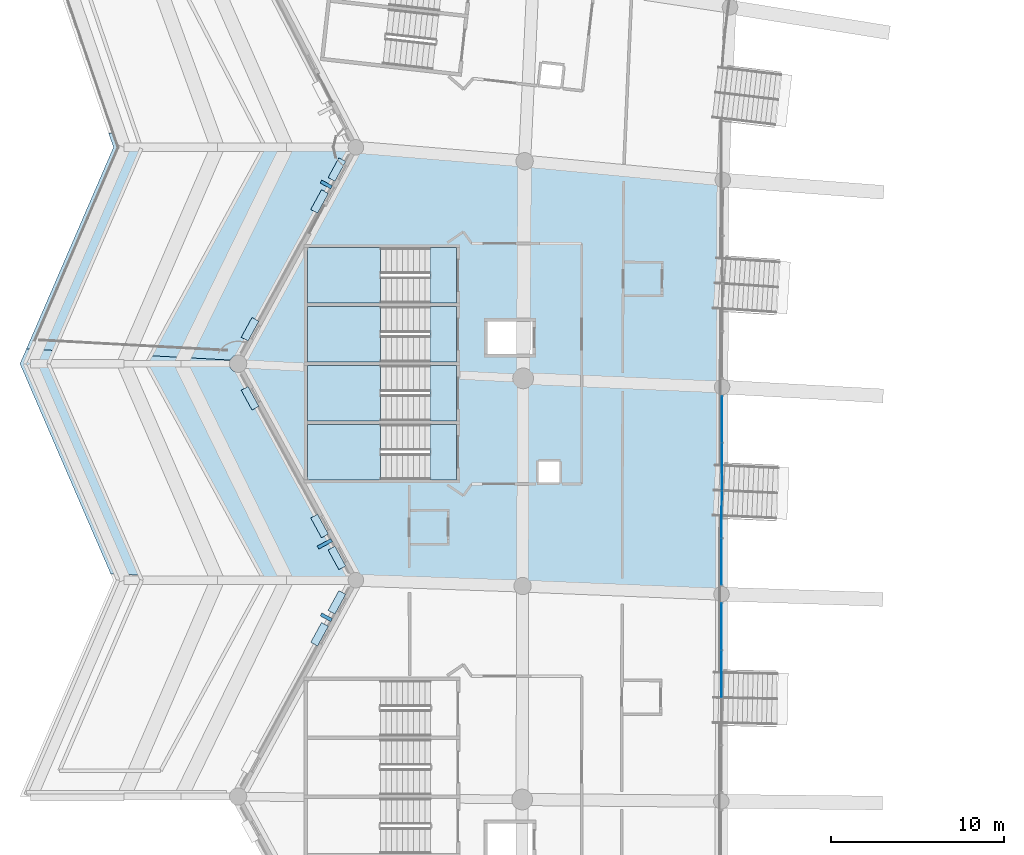
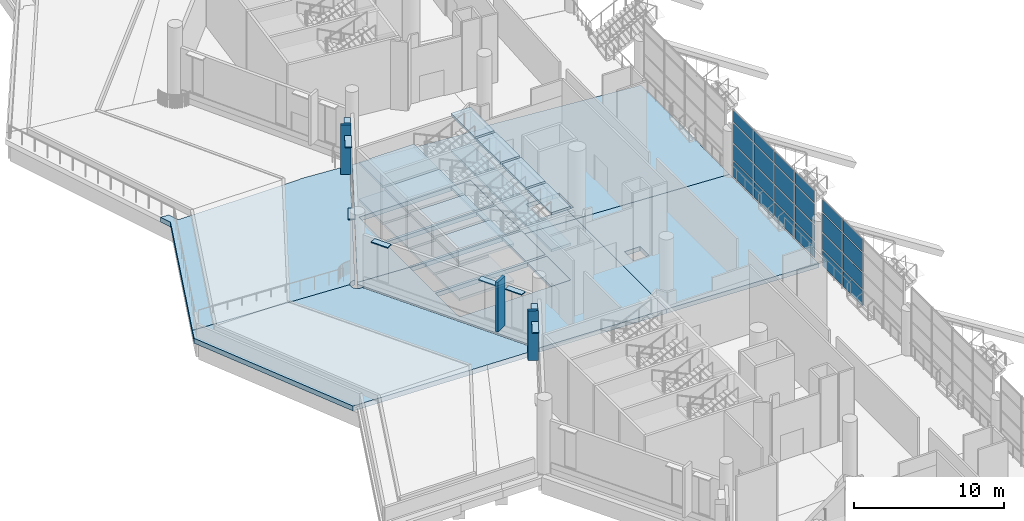
# One storey, part 32 of 173: 35 plates, 26 slabs, 6 elements without a shape of their own.
"""IFC4 building model written with IfcOpenShell, lengths in metres."""

from ifc_helpers import new_model, si_unit, direction, frame, origin, origin_2d, place, context, subcontext, project, spatial, polyline, rectangle, outline, extrude, material, layer, layer_set, type_object, element, aggregate, save


model = new_model("IFC4")

# Units and contexts
model_context = context("Model", 3, precision=1e-05, world=origin(), true_north=direction((0.0, 1.0)))
body_context = subcontext(model_context, "Body", "Model", "MODEL_VIEW")
ifc_project = project(units=[si_unit("LENGTHUNIT", "METRE"), si_unit("AREAUNIT", "SQUARE_METRE"), si_unit("VOLUMEUNIT", "CUBIC_METRE"), si_unit("PLANEANGLEUNIT", "RADIAN"), si_unit("MASSUNIT", "GRAM", prefix="KILO")], contexts=[model_context])

# Site, building, storey
site_placement = place(None, origin())
site = spatial("IfcSite", under=ifc_project, at=site_placement, CompositionType="ELEMENT")
building_placement = place(site_placement, origin())
building = spatial("IfcBuilding", under=site, at=building_placement, Name="Meseta Stadium", CompositionType="ELEMENT")
storey_placement = place(building_placement, frame((0.0, 0.0, 18.0)))
storey = spatial("IfcBuildingStorey", under=building, at=storey_placement, Name="L03", CompositionType="ELEMENT", Elevation=18.0)

# Curtain wall, plates
ifc_material_1 = material(Name="Aluminium", Category="aluminium")
ifc_layer_1 = layer(ifc_material_1, 0.25)
ifc_layer_set_1 = layer_set([ifc_layer_1], Name="Media Centre glazing curtain wall")
curtain_wall_type = type_object("IfcCurtainWallType", Name="Media Centre glazing curtain wall", PredefinedType="NOTDEFINED", material=ifc_layer_set_1)
curtain_wall_1_placement = place(storey_placement, origin())
curtain_wall_1 = element("IfcCurtainWall", 1, at=curtain_wall_1_placement, inside=storey, type_object=curtain_wall_type, Name="Media Centre glazing bay 30", PredefinedType="NOTDEFINED")
ifc_material_2 = material(Name="Glass", Category="glass")
ifc_layer_2 = layer(ifc_material_2, 0.028076171875)
ifc_layer_set_2 = layer_set([ifc_layer_2], Name="CW glass panel 28")
plate_type_1 = type_object("IfcPlateType", Name="CW glass panel 28", PredefinedType="CURTAIN_PANEL", material=ifc_layer_set_2)
plate_1_placement = place(storey_placement, frame((-73.4560546875, 28.0341796875, 0.1201171875), z_axis=(0.0, 0.0, 1.0), x_axis=(-0.002605544184, -0.999996605564, 0.0)))
plate_1 = element("IfcPlate", 2, at=plate_1_placement, type_object=plate_type_1, Name="CWM panel 1.1", PredefinedType="CURTAIN_PANEL", context=body_context, shape_type="SweptSolid", body=[
    extrude(rectangle(XDim=2.660400390625, YDim=0.028076171875, at=origin_2d()), origin(), (0.0, 0.0, 1.0), 1.232421875),
])
plate_2_placement = place(storey_placement, frame((-73.4560546875, 28.0341796875, 1.472412109375), z_axis=(0.0, 0.0, 1.0), x_axis=(-0.002605544184, -0.999996605564, 0.0)))
plate_2 = element("IfcPlate", 3, at=plate_2_placement, type_object=plate_type_1, Name="CWM panel 1.2", PredefinedType="CURTAIN_PANEL", context=body_context, shape_type="SweptSolid", body=[
    extrude(rectangle(XDim=2.660400390625, YDim=0.028076171875, at=origin_2d()), origin(), (0.0, 0.0, 1.0), 1.29248046875),
])
plate_3_placement = place(storey_placement, frame((-73.4560546875, 28.0341796875, 2.884765625), z_axis=(0.0, 0.0, 1.0), x_axis=(-0.002605544184, -0.999996605564, 0.0)))
plate_3 = element("IfcPlate", 4, at=plate_3_placement, type_object=plate_type_1, Name="CWM panel 1.3", PredefinedType="CURTAIN_PANEL", context=body_context, shape_type="SweptSolid", body=[
    extrude(rectangle(XDim=2.660400390625, YDim=0.028076171875, at=origin_2d()), origin(), (0.0, 0.0, 1.0), 1.593505859375),
])
plate_4_placement = place(storey_placement, frame((-73.4560546875, 28.0341796875, 4.5986328125), z_axis=(0.0, 0.0, 1.0), x_axis=(-0.002605544184, -0.999996605564, 0.0)))
plate_4 = element("IfcPlate", 5, at=plate_4_placement, type_object=plate_type_1, Name="CWM panel 1.4", PredefinedType="CURTAIN_PANEL", context=body_context, shape_type="SweptSolid", body=[
    extrude(rectangle(XDim=2.660400390625, YDim=0.028076171875, at=origin_2d()), origin(), (0.0, 0.0, 1.0), 0.931396484375),
])
plate_5_placement = place(storey_placement, frame((-73.46337890625, 25.298828125, 0.1201171875), z_axis=(0.0, 0.0, 1.0), x_axis=(-0.002605544184, -0.999996605564, 0.0)))
plate_5 = element("IfcPlate", 6, at=plate_5_placement, type_object=plate_type_1, Name="CWM panel 2.1", PredefinedType="CURTAIN_PANEL", context=body_context, shape_type="SweptSolid", body=[
    extrude(rectangle(XDim=2.6904296875, YDim=0.028076171875, at=origin_2d()), origin(), (0.0, 0.0, 1.0), 1.232421875),
])
plate_6_placement = place(storey_placement, frame((-73.46337890625, 25.298828125, 1.472412109375), z_axis=(0.0, 0.0, 1.0), x_axis=(-0.002605544184, -0.999996605564, 0.0)))
plate_6 = element("IfcPlate", 7, at=plate_6_placement, type_object=plate_type_1, Name="CWM panel 2.2", PredefinedType="CURTAIN_PANEL", context=body_context, shape_type="SweptSolid", body=[
    extrude(rectangle(XDim=2.6904296875, YDim=0.028076171875, at=origin_2d()), origin(), (0.0, 0.0, 1.0), 1.29248046875),
])
plate_7_placement = place(storey_placement, frame((-73.46337890625, 25.298828125, 2.884765625), z_axis=(0.0, 0.0, 1.0), x_axis=(-0.002605544184, -0.999996605564, 0.0)))
plate_7 = element("IfcPlate", 8, at=plate_7_placement, type_object=plate_type_1, Name="CWM panel 2.3", PredefinedType="CURTAIN_PANEL", context=body_context, shape_type="SweptSolid", body=[
    extrude(rectangle(XDim=2.6904296875, YDim=0.028076171875, at=origin_2d()), origin(), (0.0, 0.0, 1.0), 1.593505859375),
])
plate_8_placement = place(storey_placement, frame((-73.46337890625, 25.298828125, 4.5986328125), z_axis=(0.0, 0.0, 1.0), x_axis=(-0.002605544184, -0.999996605564, 0.0)))
plate_8 = element("IfcPlate", 9, at=plate_8_placement, type_object=plate_type_1, Name="CWM panel 2.4", PredefinedType="CURTAIN_PANEL", context=body_context, shape_type="SweptSolid", body=[
    extrude(rectangle(XDim=2.6904296875, YDim=0.028076171875, at=origin_2d()), origin(), (0.0, 0.0, 1.0), 0.931396484375),
])
plate_9_placement = place(storey_placement, frame((-73.470458984375, 22.54833984375, 0.1201171875), z_axis=(0.0, 0.0, 1.0), x_axis=(-0.002605544184, -0.999996605564, 0.0)))
plate_9 = element("IfcPlate", 10, at=plate_9_placement, type_object=plate_type_1, Name="CWM panel 3.1", PredefinedType="CURTAIN_PANEL", context=body_context, shape_type="SweptSolid", body=[
    extrude(rectangle(XDim=2.6904296875, YDim=0.028076171875, at=origin_2d()), origin(), (0.0, 0.0, 1.0), 1.232421875),
])
plate_10_placement = place(storey_placement, frame((-73.470458984375, 22.54833984375, 1.472412109375), z_axis=(0.0, 0.0, 1.0), x_axis=(-0.002605544184, -0.999996605564, 0.0)))
plate_10 = element("IfcPlate", 11, at=plate_10_placement, type_object=plate_type_1, Name="CWM panel 3.2", PredefinedType="CURTAIN_PANEL", context=body_context, shape_type="SweptSolid", body=[
    extrude(rectangle(XDim=2.6904296875, YDim=0.028076171875, at=origin_2d()), origin(), (0.0, 0.0, 1.0), 1.29248046875),
])
plate_11_placement = place(storey_placement, frame((-73.470458984375, 22.54833984375, 2.884765625), z_axis=(0.0, 0.0, 1.0), x_axis=(-0.002605544184, -0.999996605564, 0.0)))
plate_11 = element("IfcPlate", 12, at=plate_11_placement, type_object=plate_type_1, Name="CWM panel 3.3", PredefinedType="CURTAIN_PANEL", context=body_context, shape_type="SweptSolid", body=[
    extrude(rectangle(XDim=2.6904296875, YDim=0.028076171875, at=origin_2d()), origin(), (0.0, 0.0, 1.0), 1.593505859375),
])
plate_12_placement = place(storey_placement, frame((-73.470458984375, 22.54833984375, 4.5986328125), z_axis=(0.0, 0.0, 1.0), x_axis=(-0.002605544184, -0.999996605564, 0.0)))
plate_12 = element("IfcPlate", 13, at=plate_12_placement, type_object=plate_type_1, Name="CWM panel 3.4", PredefinedType="CURTAIN_PANEL", context=body_context, shape_type="SweptSolid", body=[
    extrude(rectangle(XDim=2.6904296875, YDim=0.028076171875, at=origin_2d()), origin(), (0.0, 0.0, 1.0), 0.931396484375),
])
plate_13_placement = place(storey_placement, frame((-73.4775390625, 19.81298828125, 0.1201171875), z_axis=(0.0, 0.0, 1.0), x_axis=(-0.002605544184, -0.999996605564, 0.0)))
plate_13 = element("IfcPlate", 14, at=plate_13_placement, type_object=plate_type_1, Name="CWM panel 4.1", PredefinedType="CURTAIN_PANEL", context=body_context, shape_type="SweptSolid", body=[
    extrude(rectangle(XDim=2.660400390625, YDim=0.028076171875, at=origin_2d()), origin(), (0.0, 0.0, 1.0), 1.232421875),
])
plate_14_placement = place(storey_placement, frame((-73.4775390625, 19.81298828125, 1.472412109375), z_axis=(0.0, 0.0, 1.0), x_axis=(-0.002605544184, -0.999996605564, 0.0)))
plate_14 = element("IfcPlate", 15, at=plate_14_placement, type_object=plate_type_1, Name="CWM panel 4.2", PredefinedType="CURTAIN_PANEL", context=body_context, shape_type="SweptSolid", body=[
    extrude(rectangle(XDim=2.660400390625, YDim=0.028076171875, at=origin_2d()), origin(), (0.0, 0.0, 1.0), 1.29248046875),
])
plate_15_placement = place(storey_placement, frame((-73.4775390625, 19.81298828125, 2.884765625), z_axis=(0.0, 0.0, 1.0), x_axis=(-0.002605544184, -0.999996605564, 0.0)))
plate_15 = element("IfcPlate", 16, at=plate_15_placement, type_object=plate_type_1, Name="CWM panel 4.3", PredefinedType="CURTAIN_PANEL", context=body_context, shape_type="SweptSolid", body=[
    extrude(rectangle(XDim=2.660400390625, YDim=0.028076171875, at=origin_2d()), origin(), (0.0, 0.0, 1.0), 1.593505859375),
])
plate_16_placement = place(storey_placement, frame((-73.4775390625, 19.81298828125, 4.5986328125), z_axis=(0.0, 0.0, 1.0), x_axis=(-0.002605544184, -0.999996605564, 0.0)))
plate_16 = element("IfcPlate", 17, at=plate_16_placement, type_object=plate_type_1, Name="CWM panel 4.4", PredefinedType="CURTAIN_PANEL", context=body_context, shape_type="SweptSolid", body=[
    extrude(rectangle(XDim=2.660400390625, YDim=0.028076171875, at=origin_2d()), origin(), (0.0, 0.0, 1.0), 0.931396484375),
])
aggregate(curtain_wall_1, [plate_1, plate_2, plate_3, plate_4, plate_5, plate_6, plate_7, plate_8, plate_9, plate_10, plate_11, plate_12, plate_13, plate_14, plate_15, plate_16])

curtain_wall_2_placement = place(storey_placement, origin())
curtain_wall_2 = element("IfcCurtainWall", 18, at=curtain_wall_2_placement, inside=storey, type_object=curtain_wall_type, Name="Media Centre glazing bay 31", PredefinedType="NOTDEFINED")
plate_17_placement = place(storey_placement, frame((-73.48486328125, 16.07373046875, 0.1201171875), z_axis=(0.0, 0.0, 1.0), x_axis=(-0.001305425729, -0.999999147931, 0.0)))
plate_17 = element("IfcPlate", 19, at=plate_17_placement, type_object=plate_type_1, Name="CWM panel 1.1", PredefinedType="CURTAIN_PANEL", context=body_context, shape_type="SweptSolid", body=[
    extrude(rectangle(XDim=2.6611328125, YDim=0.028076171875, at=origin_2d()), origin(), (0.0, 0.0, 1.0), 1.232421875),
])
plate_18_placement = place(storey_placement, frame((-73.48486328125, 16.07373046875, 1.472412109375), z_axis=(0.0, 0.0, 1.0), x_axis=(-0.001305425729, -0.999999147931, 0.0)))
plate_18 = element("IfcPlate", 20, at=plate_18_placement, type_object=plate_type_1, Name="CWM panel 1.2", PredefinedType="CURTAIN_PANEL", context=body_context, shape_type="SweptSolid", body=[
    extrude(rectangle(XDim=2.6611328125, YDim=0.028076171875, at=origin_2d()), origin(), (0.0, 0.0, 1.0), 1.29248046875),
])
plate_19_placement = place(storey_placement, frame((-73.48486328125, 16.07373046875, 2.884765625), z_axis=(0.0, 0.0, 1.0), x_axis=(-0.001305425729, -0.999999147931, 0.0)))
plate_19 = element("IfcPlate", 21, at=plate_19_placement, type_object=plate_type_1, Name="CWM panel 1.3", PredefinedType="CURTAIN_PANEL", context=body_context, shape_type="SweptSolid", body=[
    extrude(rectangle(XDim=2.6611328125, YDim=0.028076171875, at=origin_2d()), origin(), (0.0, 0.0, 1.0), 1.522705078125),
])
plate_20_placement = place(storey_placement, frame((-73.48486328125, 16.07373046875, 4.52783203125), z_axis=(0.0, 0.0, 1.0), x_axis=(-0.001305425729, -0.999999147931, 0.0)))
plate_20 = element("IfcPlate", 22, at=plate_20_placement, type_object=plate_type_1, Name="CWM panel 1.4", PredefinedType="CURTAIN_PANEL", context=body_context, shape_type="SweptSolid", body=[
    extrude(rectangle(XDim=2.6611328125, YDim=0.028076171875, at=origin_2d()), origin(), (0.0, 0.0, 1.0), 1.002197265625),
])
plate_21_placement = place(storey_placement, frame((-73.488525390625, 13.337890625, 0.1201171875), z_axis=(0.0, 0.0, 1.0), x_axis=(-0.001305425729, -0.999999147931, 0.0)))
plate_21 = element("IfcPlate", 23, at=plate_21_placement, type_object=plate_type_1, Name="CWM panel 2.1", PredefinedType="CURTAIN_PANEL", context=body_context, shape_type="SweptSolid", body=[
    extrude(rectangle(XDim=2.69091796875, YDim=0.028076171875, at=origin_2d()), origin(), (0.0, 0.0, 1.0), 1.232421875),
])
plate_22_placement = place(storey_placement, frame((-73.488525390625, 13.337890625, 1.472412109375), z_axis=(0.0, 0.0, 1.0), x_axis=(-0.001305425729, -0.999999147931, 0.0)))
plate_22 = element("IfcPlate", 24, at=plate_22_placement, type_object=plate_type_1, Name="CWM panel 2.2", PredefinedType="CURTAIN_PANEL", context=body_context, shape_type="SweptSolid", body=[
    extrude(rectangle(XDim=2.69091796875, YDim=0.028076171875, at=origin_2d()), origin(), (0.0, 0.0, 1.0), 1.29248046875),
])
plate_23_placement = place(storey_placement, frame((-73.488525390625, 13.337890625, 2.884765625), z_axis=(0.0, 0.0, 1.0), x_axis=(-0.001305425729, -0.999999147931, 0.0)))
plate_23 = element("IfcPlate", 25, at=plate_23_placement, type_object=plate_type_1, Name="CWM panel 2.3", PredefinedType="CURTAIN_PANEL", context=body_context, shape_type="SweptSolid", body=[
    extrude(rectangle(XDim=2.69091796875, YDim=0.028076171875, at=origin_2d()), origin(), (0.0, 0.0, 1.0), 1.522705078125),
])
plate_24_placement = place(storey_placement, frame((-73.488525390625, 13.337890625, 4.52783203125), z_axis=(0.0, 0.0, 1.0), x_axis=(-0.001305425729, -0.999999147931, 0.0)))
plate_24 = element("IfcPlate", 26, at=plate_24_placement, type_object=plate_type_1, Name="CWM panel 2.4", PredefinedType="CURTAIN_PANEL", context=body_context, shape_type="SweptSolid", body=[
    extrude(rectangle(XDim=2.69091796875, YDim=0.028076171875, at=origin_2d()), origin(), (0.0, 0.0, 1.0), 1.002197265625),
])
aggregate(curtain_wall_2, [plate_17, plate_18, plate_19, plate_20, plate_21, plate_22, plate_23, plate_24])

# Slabs
ifc_material_3 = material(Name="Concrete C40/50", Category="concrete")
ifc_layer_3 = layer(ifc_material_3, 0.35009765625)
ifc_layer_set_3 = layer_set([ifc_layer_3], Name="Floor slab 350")
slab_type_1 = type_object("IfcSlabType", Name="Floor slab 350", PredefinedType="FLOOR", material=ifc_layer_set_3)
slab_1_placement = place(storey_placement, frame((0.0, 0.0, -0.35009765625)))
element("IfcSlab", 27, at=slab_1_placement, inside=storey, type_object=slab_type_1, Name="Floor slab L03 sector 28 panel 04", PredefinedType="FLOOR", context=body_context, shape_type="SweptSolid", body=[
    extrude(outline(polyline([(-84.85546875, 42.7412109375), (-94.736328125, 43.49951171875), (-101.301513671875, 31.430908203125), (-96.176025390625, 31.14990234375), (-88.800048828125, 31.14990234375), (-88.800048828125, 30.74560546875), (-84.939697265625, 30.533935546875), (-84.93115234375, 31.800048828125), (-87.0, 31.800048828125), (-87.0, 33.699951171875), (-84.91796875, 33.699951171875), (-84.85546875, 42.7412109375)]), holes=[polyline([(-97.39990234375, 34.550048828125), (-88.800048828125, 34.550048828125), (-88.800048828125, 31.35009765625), (-97.39990234375, 31.35009765625), (-97.39990234375, 34.550048828125)]), polyline([(-97.39990234375, 37.949951171875), (-88.800048828125, 37.949951171875), (-88.800048828125, 34.75), (-97.39990234375, 34.75), (-97.39990234375, 37.949951171875)])]), origin(), (0.0, 0.0, 1.0), 0.35009765625),
])
slab_2_placement = place(storey_placement, frame((0.0, 0.0, -0.35009765625)))
element("IfcSlab", 28, at=slab_2_placement, inside=storey, type_object=slab_type_1, Name="Floor slab L03 sector 28 panel 06", PredefinedType="FLOOR", context=body_context, shape_type="SweptSolid", body=[
    extrude(outline(polyline([(-96.176025390625, 31.14990234375), (-101.301513671875, 31.430908203125), (-101.39990234375, 31.25), (-94.60009765625, 18.75), (-84.97314453125, 18.41064453125), (-84.939697265625, 30.533935546875), (-88.800048828125, 30.74560546875), (-88.800048828125, 27.949951171875), (-97.39990234375, 27.949951171875), (-97.39990234375, 31.14990234375), (-96.176025390625, 31.14990234375)]), holes=[polyline([(-97.39990234375, 27.75), (-88.800048828125, 27.75), (-88.800048828125, 24.550048828125), (-97.39990234375, 24.550048828125), (-97.39990234375, 27.75)])]), origin(), (0.0, 0.0, 1.0), 0.35009765625),
])
slab_3_placement = place(storey_placement, frame((0.0, 0.0, -0.35009765625)))
element("IfcSlab", 29, at=slab_3_placement, inside=storey, type_object=slab_type_1, Name="Floor slab L03 sector 28 panel 10", PredefinedType="FLOOR", context=body_context, shape_type="SweptSolid", body=[
    extrude(outline(polyline([(-73.451416015625, 29.904052734375), (-84.939697265625, 30.533935546875), (-84.97314453125, 18.41064453125), (-73.482421875, 17.943603515625), (-73.473876953125, 21.9306640625), (-73.451416015625, 29.904052734375)]), holes=[polyline([(-82.85009765625, 25.60009765625), (-82.85009765625, 24.39990234375), (-84.050048828125, 24.39990234375), (-84.050048828125, 25.60009765625), (-82.85009765625, 25.60009765625)])]), origin(), (0.0, 0.0, 1.0), 0.35009765625),
])
slab_4_placement = place(storey_placement, frame((0.0, 0.0, -0.35009765625)))
element("IfcSlab", 30, at=slab_4_placement, inside=storey, type_object=slab_type_1, Name="Floor slab L03 sector 28 panel 12", PredefinedType="FLOOR", context=body_context, shape_type="SweptSolid", body=[
    extrude(outline(polyline([(-73.40478515625, 41.8623046875), (-84.85400390625, 42.948486328125), (-84.91796875, 33.699951171875), (-84.39990234375, 33.699951171875), (-84.39990234375, 31.800048828125), (-84.93115234375, 31.800048828125), (-84.939697265625, 30.533935546875), (-73.451416015625, 29.904052734375), (-73.429931640625, 35.883544921875), (-73.40478515625, 41.8623046875)])), origin(), (0.0, 0.0, 1.0), 0.35009765625),
])

# Plates
ifc_material_4 = material(Name="White precast concrete C40/50", Category="concrete")
ifc_layer_4 = layer(ifc_material_4, 0.080078125)
ifc_layer_set_4 = layer_set([ifc_layer_4], Name="Louvre hood 1300x450")
plate_type_2 = type_object("IfcPlateType", Name="Louvre hood 1300x450", PredefinedType="USERDEFINED", material=ifc_layer_set_4)
for number, where, z_axis, x_axis, name in (
    (31, (-95.696044921875, 42.4677734375, 4.25), (0.0, 0.0, 1.0), (-0.477867090202, -0.878432151109, 0.0), "Louvre hood L03 F29"),
    (32, (-96.699462890625, 40.623046875, 4.25), (0.0, 0.0, 1.0), (-0.477867090202, -0.878432151109, 0.0), "Louvre hood L03 F29"),
    (33, (-100.713623046875, 33.244384765625, 4.25), (0.0, 0.0, 1.0), (-0.477867090202, -0.878432151109, 0.0), "Louvre hood L03 F29"),
    (34, (-95.696044921875, 20.0322265625, 4.25), (0.0, 0.0, 1.0), (0.477867090202, -0.878432151109, 0.0), "Louvre hood L03 F30"),
    (35, (-96.699462890625, 21.876953125, 4.25), (0.0, 0.0, 1.0), (0.477867090202, -0.878432151109, 0.0), "Louvre hood L03 F30"),
    (36, (-100.713623046875, 29.255615234375, 4.25), (0.0, 0.0, 1.0), (0.477867090202, -0.878432151109, 0.0), "Louvre hood L03 F30"),
    (37, (-95.696044921875, 17.4677734375, 4.25), (0.0, 0.0, 1.0), (-0.477867090202, -0.878432151109, 0.0), "Louvre hood L03 F31"),
    (38, (-96.699462890625, 15.623046875, 4.25), (0.0, 0.0, 1.0), (-0.477867090202, -0.878432151109, 0.0), "Louvre hood L03 F31"),
):
    element("IfcPlate", number, at=place(storey_placement, frame(where, z_axis=z_axis, x_axis=x_axis)), inside=storey, type_object=plate_type_2, Name=name, ObjectType="LOUVRE", PredefinedType="USERDEFINED", context=body_context, shape_type="SweptSolid", body=[
        extrude(rectangle(XDim=1.300048828125, YDim=0.449951171875, at=origin_2d()), origin(), (0.0, 0.0, 1.0), 0.080078125),
    ])
ifc_material_5 = material(Name="Precast concrete C40/50, terracotta pigment", Category="masonry")
ifc_layer_5 = layer(ifc_material_5, 0.199951171875)
ifc_layer_set_5 = layer_set([ifc_layer_5], Name="Precast concrete C40/50, terracotta pigment")
plate_type_3 = type_object("IfcPlateType", Name="Precast fin 200x700", PredefinedType="USERDEFINED", material=ifc_layer_set_5)
for number, where, z_axis, x_axis, name in (
    (39, (-96.3076171875, 41.605224609375, 0.9501953125), (0.0, 0.0, 1.0), (0.47786723231, 0.878432073802, 0.0), "Precast fin L03 F29.2"),
    (40, (-96.3076171875, 16.605224609375, 0.9501953125), (0.0, 0.0, 1.0), (0.47786723231, 0.878432073802, 0.0), "Precast fin L03 F31.2"),
):
    element("IfcPlate", number, at=place(storey_placement, frame(where, z_axis=z_axis, x_axis=x_axis)), inside=storey, type_object=plate_type_3, Name=name, ObjectType="FIN", PredefinedType="USERDEFINED", context=body_context, shape_type="SweptSolid", body=[
        extrude(rectangle(XDim=0.199951171875, YDim=0.699951171875, at=origin_2d()), origin(), (0.0, 0.0, 1.0), 4.050048828125),
    ])
ifc_material_6 = material(Name="Precast concrete C40/50, terracotta pigment", Category="masonry")
ifc_layer_6 = layer(ifc_material_6, 0.199951171875)
ifc_layer_set_6 = layer_set([ifc_layer_6], Name="Precast concrete C40/50, terracotta pigment")
plate_type_4 = type_object("IfcPlateType", Name="Precast fin 200x900", PredefinedType="USERDEFINED", material=ifc_layer_set_6)
plate_25_placement = place(storey_placement, frame((-96.395263671875, 20.846923828125, 0.9501953125), z_axis=(0.0, 0.0, 1.0), x_axis=(-0.47786723231, 0.878432073802, 0.0)))
element("IfcPlate", 41, at=plate_25_placement, inside=storey, type_object=plate_type_4, Name="Precast fin L03 F30.1", ObjectType="FIN", PredefinedType="USERDEFINED", context=body_context, shape_type="SweptSolid", body=[
    extrude(rectangle(XDim=0.199951171875, YDim=0.89990234375, at=origin_2d()), origin(), (0.0, 0.0, 1.0), 4.050048828125),
])

# Slabs
ifc_material_7 = material(Name="Concrete C40/50", Category="concrete")
ifc_layer_7 = layer(ifc_material_7, 0.39990234375)
ifc_layer_set_7 = layer_set([ifc_layer_7], Name="Roof garden slab 400")
slab_type_2 = type_object("IfcSlabType", Name="Roof garden slab 400", PredefinedType="ROOF", material=ifc_layer_set_7)
slab_5_placement = place(storey_placement, frame((0.0, 0.0, -0.39990234375)))
element("IfcSlab", 42, at=slab_5_placement, inside=storey, type_object=slab_type_2, Name="Roof garden slab 4 part 1 panel 02", PredefinedType="ROOF", context=body_context, shape_type="SweptSolid", body=[
    extrude(outline(polyline([(-101.853515625, 31.461181640625), (-113.6298828125, 32.10693359375), (-114.0, 31.25), (-108.752685546875, 19.103759765625), (-95.041015625, 18.652587890625), (-95.053955078125, 18.75), (-95.038330078125, 18.867431640625), (-94.9931640625, 18.976806640625), (-94.935302734375, 19.05224609375), (-101.30322265625, 30.75830078125), (-101.39990234375, 30.74560546875), (-101.530517578125, 30.762939453125), (-101.652099609375, 30.813232421875), (-101.756591796875, 30.893310546875), (-101.836669921875, 30.997802734375), (-101.88720703125, 31.119384765625), (-101.904296875, 31.25), (-101.88720703125, 31.380615234375), (-101.853515625, 31.461181640625)])), origin(), (0.0, 0.0, 1.0), 0.39990234375),
])
slab_6_placement = place(storey_placement, frame((0.0, 0.0, -0.39990234375)))
element("IfcSlab", 43, at=slab_6_placement, inside=storey, type_object=slab_type_2, Name="Roof garden slab 4 part 1 panel 04", PredefinedType="ROOF", context=body_context, shape_type="SweptSolid", body=[
    extrude(outline(polyline([(-108.271240234375, 44.538330078125), (-108.885986328125, 44.58544921875), (-108.60009765625, 43.75), (-113.6298828125, 32.10693359375), (-101.853515625, 31.461181640625), (-101.836669921875, 31.502197265625), (-101.756591796875, 31.606689453125), (-101.652099609375, 31.686767578125), (-101.530517578125, 31.737060546875), (-101.39990234375, 31.75439453125), (-101.30322265625, 31.74169921875), (-94.935302734375, 43.44775390625), (-94.989990234375, 43.51904296875), (-98.578369140625, 43.79443359375), (-98.60009765625, 43.75), (-108.0, 43.75), (-108.271240234375, 44.538330078125)])), origin(), (0.0, 0.0, 1.0), 0.39990234375),
])

# Stair, slabs
ifc_material_8 = material(Name="Concrete C40/50", Category="concrete")
stair_type = type_object("IfcStairType", Name="Exit stair 4 flights 150 mm risers", PredefinedType="HALF_TURN_STAIR", material=ifc_material_8)
stair_1_placement = place(storey_placement, origin())
stair_1 = element("IfcStair", 44, at=stair_1_placement, inside=storey, type_object=stair_type, Name="ST61 L03", PredefinedType="HALF_TURN_STAIR")
ifc_material_9 = material(Name="Concrete C40/50", Category="concrete")
ifc_layer_8 = layer(ifc_material_9, 0.199951171875)
ifc_layer_set_8 = layer_set([ifc_layer_8], Name="Stair landing 200")
slab_type_3 = type_object("IfcSlabType", Name="Stair landing 200", PredefinedType="LANDING", material=ifc_layer_set_8)
slab_7_placement = place(storey_placement, frame((0.0, 0.0, 1.300048828125)))
slab_7 = element("IfcSlab", 45, at=slab_7_placement, type_object=slab_type_3, Name="ST61 L03 landing 1", PredefinedType="LANDING", context=body_context, shape_type="SweptSolid", body=[
    extrude(outline(polyline([(-93.169921875, 37.949951171875), (-97.39990234375, 37.949951171875), (-97.39990234375, 34.75), (-93.169921875, 34.75), (-93.169921875, 37.949951171875)])), origin(), (0.0, 0.0, 1.0), 0.199951171875),
])
slab_8_placement = place(storey_placement, frame((0.0, 0.0, 2.800048828125)))
slab_8 = element("IfcSlab", 46, at=slab_8_placement, type_object=slab_type_3, Name="ST61 L03 landing 2", PredefinedType="LANDING", context=body_context, shape_type="SweptSolid", body=[
    extrude(outline(polyline([(-88.800048828125, 37.949951171875), (-90.31005859375, 37.949951171875), (-90.31005859375, 34.75), (-88.800048828125, 34.75), (-88.800048828125, 37.949951171875)])), origin(), (0.0, 0.0, 1.0), 0.199951171875),
])
slab_9_placement = place(storey_placement, frame((0.0, 0.0, 4.300048828125)))
slab_9 = element("IfcSlab", 47, at=slab_9_placement, type_object=slab_type_3, Name="ST61 L03 landing 3", PredefinedType="LANDING", context=body_context, shape_type="SweptSolid", body=[
    extrude(outline(polyline([(-93.169921875, 37.949951171875), (-97.39990234375, 37.949951171875), (-97.39990234375, 34.75), (-93.169921875, 34.75), (-93.169921875, 37.949951171875)])), origin(), (0.0, 0.0, 1.0), 0.199951171875),
])
slab_10_placement = place(storey_placement, frame((0.0, 0.0, -0.199951171875)))
slab_10 = element("IfcSlab", 48, at=slab_10_placement, type_object=slab_type_3, Name="ST61 L03 landing 4", PredefinedType="LANDING", context=body_context, shape_type="SweptSolid", body=[
    extrude(outline(polyline([(-88.800048828125, 37.949951171875), (-90.31005859375, 37.949951171875), (-90.31005859375, 34.75), (-88.800048828125, 34.75), (-88.800048828125, 37.949951171875)])), origin(), (0.0, 0.0, 1.0), 0.199951171875),
])
slab_11_placement = place(storey_placement, frame((0.0, 0.0, 5.800048828125)))
slab_11 = element("IfcSlab", 49, at=slab_11_placement, type_object=slab_type_3, Name="ST61 L03 landing 5", PredefinedType="LANDING", context=body_context, shape_type="SweptSolid", body=[
    extrude(outline(polyline([(-88.800048828125, 37.949951171875), (-90.31005859375, 37.949951171875), (-90.31005859375, 34.75), (-88.800048828125, 34.75), (-88.800048828125, 37.949951171875)])), origin(), (0.0, 0.0, 1.0), 0.199951171875),
])
aggregate(stair_1, [slab_7, slab_8, slab_9, slab_10, slab_11])

stair_2_placement = place(storey_placement, origin())
stair_2 = element("IfcStair", 50, at=stair_2_placement, inside=storey, type_object=stair_type, Name="ST62 L03", PredefinedType="HALF_TURN_STAIR")
slab_12_placement = place(storey_placement, frame((0.0, 0.0, 1.300048828125)))
slab_12 = element("IfcSlab", 51, at=slab_12_placement, type_object=slab_type_3, Name="ST62 L03 landing 1", PredefinedType="LANDING", context=body_context, shape_type="SweptSolid", body=[
    extrude(outline(polyline([(-93.169921875, 34.550048828125), (-97.39990234375, 34.550048828125), (-97.39990234375, 31.35009765625), (-93.169921875, 31.35009765625), (-93.169921875, 34.550048828125)])), origin(), (0.0, 0.0, 1.0), 0.199951171875),
])
slab_13_placement = place(storey_placement, frame((0.0, 0.0, 2.800048828125)))
slab_13 = element("IfcSlab", 52, at=slab_13_placement, type_object=slab_type_3, Name="ST62 L03 landing 2", PredefinedType="LANDING", context=body_context, shape_type="SweptSolid", body=[
    extrude(outline(polyline([(-88.800048828125, 34.550048828125), (-90.31005859375, 34.550048828125), (-90.31005859375, 31.35009765625), (-88.800048828125, 31.35009765625), (-88.800048828125, 34.550048828125)])), origin(), (0.0, 0.0, 1.0), 0.199951171875),
])
slab_14_placement = place(storey_placement, frame((0.0, 0.0, 4.300048828125)))
slab_14 = element("IfcSlab", 53, at=slab_14_placement, type_object=slab_type_3, Name="ST62 L03 landing 3", PredefinedType="LANDING", context=body_context, shape_type="SweptSolid", body=[
    extrude(outline(polyline([(-93.169921875, 34.550048828125), (-97.39990234375, 34.550048828125), (-97.39990234375, 31.35009765625), (-93.169921875, 31.35009765625), (-93.169921875, 34.550048828125)])), origin(), (0.0, 0.0, 1.0), 0.199951171875),
])
slab_15_placement = place(storey_placement, frame((0.0, 0.0, -0.199951171875)))
slab_15 = element("IfcSlab", 54, at=slab_15_placement, type_object=slab_type_3, Name="ST62 L03 landing 4", PredefinedType="LANDING", context=body_context, shape_type="SweptSolid", body=[
    extrude(outline(polyline([(-88.800048828125, 34.550048828125), (-90.31005859375, 34.550048828125), (-90.31005859375, 31.35009765625), (-88.800048828125, 31.35009765625), (-88.800048828125, 34.550048828125)])), origin(), (0.0, 0.0, 1.0), 0.199951171875),
])
slab_16_placement = place(storey_placement, frame((0.0, 0.0, 5.800048828125)))
slab_16 = element("IfcSlab", 55, at=slab_16_placement, type_object=slab_type_3, Name="ST62 L03 landing 5", PredefinedType="LANDING", context=body_context, shape_type="SweptSolid", body=[
    extrude(outline(polyline([(-88.800048828125, 34.550048828125), (-90.31005859375, 34.550048828125), (-90.31005859375, 31.35009765625), (-88.800048828125, 31.35009765625), (-88.800048828125, 34.550048828125)])), origin(), (0.0, 0.0, 1.0), 0.199951171875),
])
aggregate(stair_2, [slab_12, slab_13, slab_14, slab_15, slab_16])

stair_3_placement = place(storey_placement, origin())
stair_3 = element("IfcStair", 56, at=stair_3_placement, inside=storey, type_object=stair_type, Name="ST63 L03", PredefinedType="HALF_TURN_STAIR")
slab_17_placement = place(storey_placement, frame((0.0, 0.0, 1.300048828125)))
slab_17 = element("IfcSlab", 57, at=slab_17_placement, type_object=slab_type_3, Name="ST63 L03 landing 1", PredefinedType="LANDING", context=body_context, shape_type="SweptSolid", body=[
    extrude(outline(polyline([(-93.169921875, 31.14990234375), (-97.39990234375, 31.14990234375), (-97.39990234375, 27.949951171875), (-93.169921875, 27.949951171875), (-93.169921875, 31.14990234375)])), origin(), (0.0, 0.0, 1.0), 0.199951171875),
])
slab_18_placement = place(storey_placement, frame((0.0, 0.0, 2.800048828125)))
slab_18 = element("IfcSlab", 58, at=slab_18_placement, type_object=slab_type_3, Name="ST63 L03 landing 2", PredefinedType="LANDING", context=body_context, shape_type="SweptSolid", body=[
    extrude(outline(polyline([(-88.800048828125, 31.14990234375), (-90.31005859375, 31.14990234375), (-90.31005859375, 27.949951171875), (-88.800048828125, 27.949951171875), (-88.800048828125, 31.14990234375)])), origin(), (0.0, 0.0, 1.0), 0.199951171875),
])
slab_19_placement = place(storey_placement, frame((0.0, 0.0, 4.300048828125)))
slab_19 = element("IfcSlab", 59, at=slab_19_placement, type_object=slab_type_3, Name="ST63 L03 landing 3", PredefinedType="LANDING", context=body_context, shape_type="SweptSolid", body=[
    extrude(outline(polyline([(-93.169921875, 31.14990234375), (-97.39990234375, 31.14990234375), (-97.39990234375, 27.949951171875), (-93.169921875, 27.949951171875), (-93.169921875, 31.14990234375)])), origin(), (0.0, 0.0, 1.0), 0.199951171875),
])
slab_20_placement = place(storey_placement, frame((0.0, 0.0, -0.199951171875)))
slab_20 = element("IfcSlab", 60, at=slab_20_placement, type_object=slab_type_3, Name="ST63 L03 landing 4", PredefinedType="LANDING", context=body_context, shape_type="SweptSolid", body=[
    extrude(outline(polyline([(-88.800048828125, 31.14990234375), (-90.31005859375, 31.14990234375), (-90.31005859375, 27.949951171875), (-88.800048828125, 27.949951171875), (-88.800048828125, 31.14990234375)])), origin(), (0.0, 0.0, 1.0), 0.199951171875),
])
slab_21_placement = place(storey_placement, frame((0.0, 0.0, 5.800048828125)))
slab_21 = element("IfcSlab", 61, at=slab_21_placement, type_object=slab_type_3, Name="ST63 L03 landing 5", PredefinedType="LANDING", context=body_context, shape_type="SweptSolid", body=[
    extrude(outline(polyline([(-88.800048828125, 31.14990234375), (-90.31005859375, 31.14990234375), (-90.31005859375, 27.949951171875), (-88.800048828125, 27.949951171875), (-88.800048828125, 31.14990234375)])), origin(), (0.0, 0.0, 1.0), 0.199951171875),
])
aggregate(stair_3, [slab_17, slab_18, slab_19, slab_20, slab_21])

stair_4_placement = place(storey_placement, origin())
stair_4 = element("IfcStair", 62, at=stair_4_placement, inside=storey, type_object=stair_type, Name="ST64 L03", PredefinedType="HALF_TURN_STAIR")
slab_22_placement = place(storey_placement, frame((0.0, 0.0, 1.300048828125)))
slab_22 = element("IfcSlab", 63, at=slab_22_placement, type_object=slab_type_3, Name="ST64 L03 landing 1", PredefinedType="LANDING", context=body_context, shape_type="SweptSolid", body=[
    extrude(outline(polyline([(-93.169921875, 27.75), (-97.39990234375, 27.75), (-97.39990234375, 24.550048828125), (-93.169921875, 24.550048828125), (-93.169921875, 27.75)])), origin(), (0.0, 0.0, 1.0), 0.199951171875),
])
slab_23_placement = place(storey_placement, frame((0.0, 0.0, 2.800048828125)))
slab_23 = element("IfcSlab", 64, at=slab_23_placement, type_object=slab_type_3, Name="ST64 L03 landing 2", PredefinedType="LANDING", context=body_context, shape_type="SweptSolid", body=[
    extrude(outline(polyline([(-88.800048828125, 27.75), (-90.31005859375, 27.75), (-90.31005859375, 24.550048828125), (-88.800048828125, 24.550048828125), (-88.800048828125, 27.75)])), origin(), (0.0, 0.0, 1.0), 0.199951171875),
])
slab_24_placement = place(storey_placement, frame((0.0, 0.0, 4.300048828125)))
slab_24 = element("IfcSlab", 65, at=slab_24_placement, type_object=slab_type_3, Name="ST64 L03 landing 3", PredefinedType="LANDING", context=body_context, shape_type="SweptSolid", body=[
    extrude(outline(polyline([(-93.169921875, 27.75), (-97.39990234375, 27.75), (-97.39990234375, 24.550048828125), (-93.169921875, 24.550048828125), (-93.169921875, 27.75)])), origin(), (0.0, 0.0, 1.0), 0.199951171875),
])
slab_25_placement = place(storey_placement, frame((0.0, 0.0, -0.199951171875)))
slab_25 = element("IfcSlab", 66, at=slab_25_placement, type_object=slab_type_3, Name="ST64 L03 landing 4", PredefinedType="LANDING", context=body_context, shape_type="SweptSolid", body=[
    extrude(outline(polyline([(-88.800048828125, 27.75), (-90.31005859375, 27.75), (-90.31005859375, 24.550048828125), (-88.800048828125, 24.550048828125), (-88.800048828125, 27.75)])), origin(), (0.0, 0.0, 1.0), 0.199951171875),
])
slab_26_placement = place(storey_placement, frame((0.0, 0.0, 5.800048828125)))
slab_26 = element("IfcSlab", 67, at=slab_26_placement, type_object=slab_type_3, Name="ST64 L03 landing 5", PredefinedType="LANDING", context=body_context, shape_type="SweptSolid", body=[
    extrude(outline(polyline([(-88.800048828125, 27.75), (-90.31005859375, 27.75), (-90.31005859375, 24.550048828125), (-88.800048828125, 24.550048828125), (-88.800048828125, 27.75)])), origin(), (0.0, 0.0, 1.0), 0.199951171875),
])
aggregate(stair_4, [slab_22, slab_23, slab_24, slab_25, slab_26])

save(model, "model.ifc")
